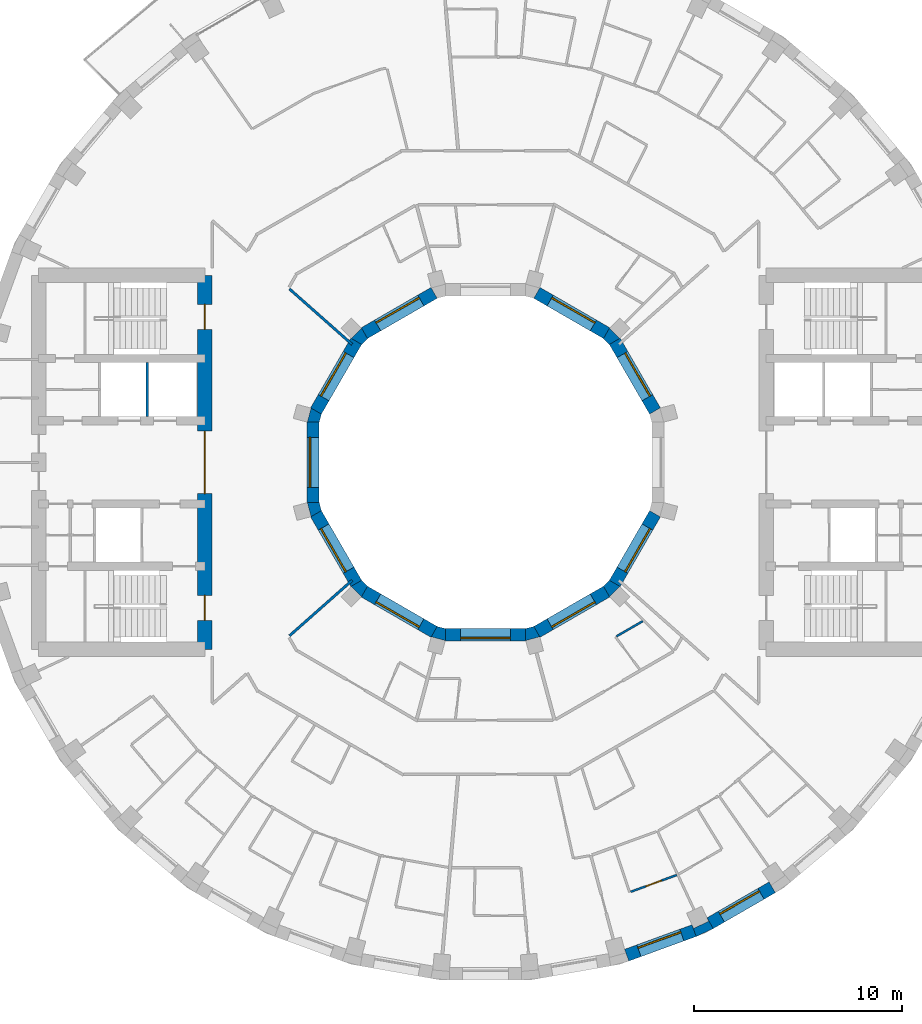
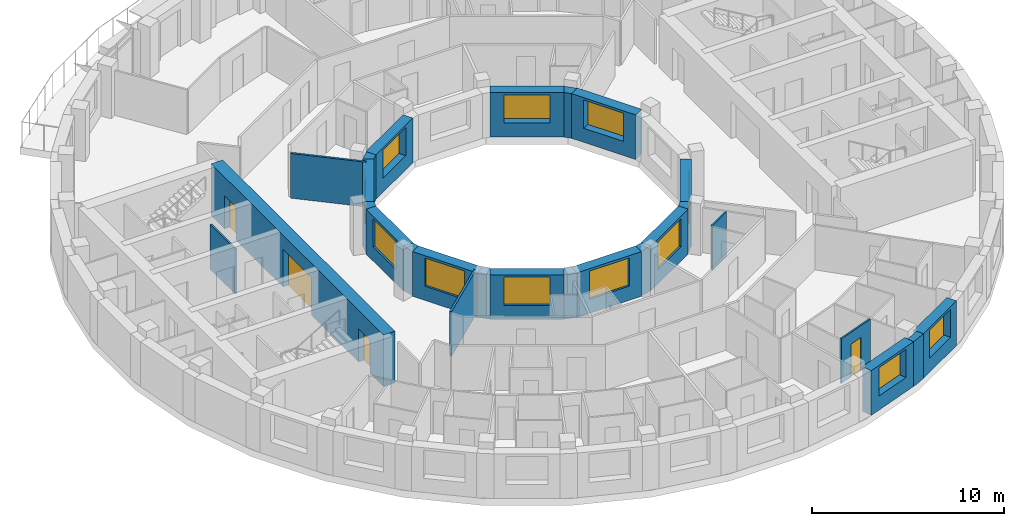
# One storey, part 7 of 14: 27 walls, 12 windows, 4 doors, 16 openings.
"""IFC4 building model written with IfcOpenShell, lengths in metres."""

from ifc_helpers import new_model, si_unit, direction, frame, frame_2d, origin, place, context, subcontext, project, spatial, polyline, rectangle, outline, extrude, material, layer, layer_set, type_object, element, fill, save


model = new_model("IFC4")

# Units and contexts
model_context = context("Model", 3, precision=1e-05, world=origin(), true_north=direction((0.0, 1.0)))
body_context = subcontext(model_context, "Body", "Model", "MODEL_VIEW")
ifc_project = project(units=[si_unit("LENGTHUNIT", "METRE"), si_unit("AREAUNIT", "SQUARE_METRE"), si_unit("VOLUMEUNIT", "CUBIC_METRE"), si_unit("PLANEANGLEUNIT", "RADIAN"), si_unit("MASSUNIT", "GRAM", prefix="KILO")], contexts=[model_context])

# Site, building, storey
site_placement = place(None, origin())
site = spatial("IfcSite", under=ifc_project, at=site_placement, CompositionType="ELEMENT")
building_placement = place(site_placement, origin())
building = spatial("IfcBuilding", under=site, at=building_placement, Name="Saqina Gate Tower", CompositionType="ELEMENT")
storey_placement = place(building_placement, frame((0.0, 0.0, 210.300048828125)))
storey = spatial("IfcBuildingStorey", under=building, at=storey_placement, Name="L60", CompositionType="ELEMENT", Elevation=210.300048828125)

# Wall
ifc_material_1 = material(Name="Brick masonry (buff)", Category="masonry")
wall_type_1 = type_object("IfcWallType", Name="BRICK PIER COPING BUFF", PredefinedType="SOLIDWALL", material=ifc_material_1)
wall_1_placement = place(storey_placement, origin())
element("IfcWall", 1, at=wall_1_placement, inside=storey, type_object=wall_type_1, Name="Pier cap L60 column 30", PredefinedType="SOLIDWALL", context=body_context, shape_type="SweptSolid", body=[
    extrude(outline(polyline([(10.958740234375, -22.4306640625), (10.65869140625, -21.9111328125), (10.73779296875, -22.080810546875), (10.0126953125, -22.4189453125), (9.93359375, -22.249267578125), (10.138916015625, -22.81298828125), (10.958740234375, -22.4306640625)])), origin(), (0.0, 0.0, 1.0), 2.849853515625),
])

# Wall, opening, window
ifc_material_2 = material(Name="Brick masonry (buff)", Category="masonry")
ifc_layer_1 = layer(ifc_material_2, 0.60009765625)
ifc_layer_set_1 = layer_set([ifc_layer_1], Name="FW-BRICK-BUFF")
wall_type_2 = type_object("IfcWallType", Name="FW-BRICK-BUFF", PredefinedType="SOLIDWALL", material=ifc_layer_set_1)
wall_2_placement = place(storey_placement, frame((6.79443359375, -23.7109375, 0.0), z_axis=(0.0, 0.0, 1.0), x_axis=(0.93968799822, 0.342032843455, 0.0)))
wall_2 = element("IfcWall", 2, at=wall_2_placement, inside=storey, type_object=wall_type_2, Name="Facade wall L60 facet 29", PredefinedType="SOLIDWALL", context=body_context, shape_type="SweptSolid", body=[
    extrude(rectangle(XDim=3.44970703125, YDim=0.60009765625, at=frame_2d((1.724853515625, 0.0))), origin(), (0.0, 0.0, 1.0), 2.849853515625),
])
opening_1_placement = place(wall_2_placement, frame((0.625, 0.0, 0.89990234375)))
opening_1 = element("IfcOpeningElement", 3, at=opening_1_placement, cuts=wall_2, Name="Opening G18-W18", PredefinedType="OPENING", context=body_context, shape_type="SweptSolid", body=[
    extrude(rectangle(XDim=2.199951171875, YDim=1.800048828125, at=frame_2d((1.10009765625, 0.89990234375))), frame((0.0, 0.31201171875, 0.0), z_axis=(0.0, -1.0, 0.0), x_axis=(1.0, 0.0, 0.0)), (0.0, 0.0, 1.0), 0.6240234375),
])
ifc_material_3 = material(Name="Aluminium glazing", Category="aluminium")
window_type_1 = type_object("IfcWindowType", Name="WN-C", PartitioningType="SINGLE_PANEL", PredefinedType="WINDOW", material=ifc_material_3)
window_1_placement = place(opening_1_placement, origin())
window_1 = element("IfcWindow", 4, at=window_1_placement, inside=storey, type_object=window_type_1, Name="Window L60 facet 29", OverallHeight=1.800048828125, OverallWidth=2.199951171875, PartitioningType="SINGLE_PANEL", PredefinedType="WINDOW", context=body_context, shape_type="SweptSolid", body=[
    extrude(rectangle(XDim=2.199951171875, YDim=1.800048828125, at=frame_2d((1.10009765625, 0.89990234375))), frame((0.0, 0.179931640625, 0.0), z_axis=(0.0, -1.0, 0.0), x_axis=(1.0, 0.0, 0.0)), (0.0, 0.0, 1.0), 0.06005859375),
])
fill(opening_1, window_1)

wall_3_placement = place(storey_placement, frame((10.80859375, -22.1708984375, 0.0), z_axis=(0.0, 0.0, 1.0), x_axis=(0.86602648383, 0.499998129301, 0.0)))
wall_3 = element("IfcWall", 5, at=wall_3_placement, inside=storey, type_object=wall_type_2, Name="Facade wall L60 facet 30", PredefinedType="SOLIDWALL", context=body_context, shape_type="SweptSolid", body=[
    extrude(rectangle(XDim=3.44970703125, YDim=0.60009765625, at=frame_2d((1.724853515625, 0.0))), origin(), (0.0, 0.0, 1.0), 2.849853515625),
])
opening_2_placement = place(wall_3_placement, frame((0.625, 0.0, 0.89990234375)))
opening_2 = element("IfcOpeningElement", 6, at=opening_2_placement, cuts=wall_3, Name="Opening G18-W19", PredefinedType="OPENING", context=body_context, shape_type="SweptSolid", body=[
    extrude(rectangle(XDim=2.199951171875, YDim=1.800048828125, at=frame_2d((1.10009765625, 0.89990234375))), frame((0.0, 0.31201171875, 0.0), z_axis=(0.0, -1.0, 0.0), x_axis=(1.0, 0.0, 0.0)), (0.0, 0.0, 1.0), 0.6240234375),
])
window_2_placement = place(opening_2_placement, origin())
window_2 = element("IfcWindow", 7, at=window_2_placement, inside=storey, type_object=window_type_1, Name="Window L60 facet 30", OverallHeight=1.800048828125, OverallWidth=2.199951171875, PartitioningType="SINGLE_PANEL", PredefinedType="WINDOW", context=body_context, shape_type="SweptSolid", body=[
    extrude(rectangle(XDim=2.199951171875, YDim=1.800048828125, at=frame_2d((1.10009765625, 0.89990234375))), frame((0.0, 0.179931640625, 0.0), z_axis=(0.0, -1.0, 0.0), x_axis=(1.0, 0.0, 0.0)), (0.0, 0.0, 1.0), 0.06005859375),
])
fill(opening_2, window_2)

ifc_material_4 = material(Name="Glazed ceramic tile", Category="ceramic")
ifc_layer_2 = layer(ifc_material_4, 0.60009765625)
ifc_layer_set_2 = layer_set([ifc_layer_2], Name="IW-TILE")
wall_type_3 = type_object("IfcWallType", Name="IW-TILE", PredefinedType="SOLIDWALL", material=ifc_layer_set_2)
wall_4_placement = place(storey_placement, frame((8.155517578125, 2.474365234375, 0.0), z_axis=(0.0, 0.0, 1.0), x_axis=(-0.500033728941, 0.866005929495, 0.0)))
wall_4 = element("IfcWall", 8, at=wall_4_placement, inside=storey, type_object=wall_type_3, Name="Well wall L60 facet 1", PredefinedType="SOLIDWALL", context=body_context, shape_type="SweptSolid", body=[
    extrude(rectangle(XDim=3.869873046875, YDim=0.60009765625, at=frame_2d((1.93505859375, 0.0))), origin(), (0.0, 0.0, 1.0), 2.849853515625),
])
opening_3_placement = place(wall_4_placement, frame((0.73486328125, 0.0, 0.89990234375)))
opening_3 = element("IfcOpeningElement", 9, at=opening_3_placement, cuts=wall_4, Name="Opening G18-W23", PredefinedType="OPENING", context=body_context, shape_type="SweptSolid", body=[
    extrude(rectangle(XDim=2.39990234375, YDim=1.800048828125, at=frame_2d((1.199951171875, 0.89990234375))), frame((0.0, 0.31201171875, 0.0), z_axis=(0.0, -1.0, 0.0), x_axis=(1.0, 0.0, 0.0)), (0.0, 0.0, 1.0), 0.6240234375),
])
ifc_material_5 = material(Name="Aluminium glazing", Category="aluminium")
window_type_2 = type_object("IfcWindowType", Name="WN-W", PartitioningType="SINGLE_PANEL", PredefinedType="WINDOW", material=ifc_material_5)
window_3_placement = place(opening_3_placement, origin())
window_3 = element("IfcWindow", 10, at=window_3_placement, inside=storey, type_object=window_type_2, Name="Well window L60 facet 1", OverallHeight=1.800048828125, OverallWidth=2.39990234375, PartitioningType="SINGLE_PANEL", PredefinedType="WINDOW", context=body_context, shape_type="SweptSolid", body=[
    extrude(rectangle(XDim=2.39990234375, YDim=1.800048828125, at=frame_2d((1.199951171875, 0.89990234375))), frame((0.0, -0.119873046875, 0.0), z_axis=(0.0, -1.0, 0.0), x_axis=(1.0, 0.0, 0.0)), (0.0, 0.0, 1.0), 0.06005859375),
])
fill(opening_3, window_3)

wall_5_placement = place(storey_placement, frame((5.82568359375, 6.220458984375, 0.0), z_axis=(0.0, 0.0, 1.0), x_axis=(-0.866005929495, 0.500033728941, 0.0)))
wall_5 = element("IfcWall", 11, at=wall_5_placement, inside=storey, type_object=wall_type_3, Name="Well wall L60 facet 2", PredefinedType="SOLIDWALL", context=body_context, shape_type="SweptSolid", body=[
    extrude(rectangle(XDim=3.869873046875, YDim=0.60009765625, at=frame_2d((1.93505859375, 0.0))), origin(), (0.0, 0.0, 1.0), 2.849853515625),
])
opening_4_placement = place(wall_5_placement, frame((0.73486328125, 0.0, 0.89990234375)))
opening_4 = element("IfcOpeningElement", 12, at=opening_4_placement, cuts=wall_5, Name="Opening G18-W24", PredefinedType="OPENING", context=body_context, shape_type="SweptSolid", body=[
    extrude(rectangle(XDim=2.39990234375, YDim=1.800048828125, at=frame_2d((1.199951171875, 0.89990234375))), frame((0.0, 0.31201171875, 0.0), z_axis=(0.0, -1.0, 0.0), x_axis=(1.0, 0.0, 0.0)), (0.0, 0.0, 1.0), 0.6240234375),
])
window_4_placement = place(opening_4_placement, origin())
window_4 = element("IfcWindow", 13, at=window_4_placement, inside=storey, type_object=window_type_2, Name="Well window L60 facet 2", OverallHeight=1.800048828125, OverallWidth=2.39990234375, PartitioningType="SINGLE_PANEL", PredefinedType="WINDOW", context=body_context, shape_type="SweptSolid", body=[
    extrude(rectangle(XDim=2.39990234375, YDim=1.800048828125, at=frame_2d((1.199951171875, 0.89990234375))), frame((0.0, -0.119873046875, 0.0), z_axis=(0.0, -1.0, 0.0), x_axis=(1.0, 0.0, 0.0)), (0.0, 0.0, 1.0), 0.06005859375),
])
fill(opening_4, window_4)

wall_6_placement = place(storey_placement, frame((-2.474365234375, 8.155517578125, 0.0), z_axis=(0.0, 0.0, 1.0), x_axis=(-0.866005929495, -0.500033728941, 0.0)))
wall_6 = element("IfcWall", 14, at=wall_6_placement, inside=storey, type_object=wall_type_3, Name="Well wall L60 facet 4", PredefinedType="SOLIDWALL", context=body_context, shape_type="SweptSolid", body=[
    extrude(rectangle(XDim=3.869873046875, YDim=0.60009765625, at=frame_2d((1.93505859375, 0.0))), origin(), (0.0, 0.0, 1.0), 2.849853515625),
])
opening_5_placement = place(wall_6_placement, frame((0.73486328125, 0.0, 0.89990234375)))
opening_5 = element("IfcOpeningElement", 15, at=opening_5_placement, cuts=wall_6, Name="Opening G18-W26", PredefinedType="OPENING", context=body_context, shape_type="SweptSolid", body=[
    extrude(rectangle(XDim=2.39990234375, YDim=1.800048828125, at=frame_2d((1.199951171875, 0.89990234375))), frame((0.0, 0.31201171875, 0.0), z_axis=(0.0, -1.0, 0.0), x_axis=(1.0, 0.0, 0.0)), (0.0, 0.0, 1.0), 0.6240234375),
])
window_5_placement = place(opening_5_placement, origin())
window_5 = element("IfcWindow", 16, at=window_5_placement, inside=storey, type_object=window_type_2, Name="Well window L60 facet 4", OverallHeight=1.800048828125, OverallWidth=2.39990234375, PartitioningType="SINGLE_PANEL", PredefinedType="WINDOW", context=body_context, shape_type="SweptSolid", body=[
    extrude(rectangle(XDim=2.39990234375, YDim=1.800048828125, at=frame_2d((1.199951171875, 0.89990234375))), frame((0.0, -0.119873046875, 0.0), z_axis=(0.0, -1.0, 0.0), x_axis=(1.0, 0.0, 0.0)), (0.0, 0.0, 1.0), 0.06005859375),
])
fill(opening_5, window_5)

wall_7_placement = place(storey_placement, frame((-6.220458984375, 5.82568359375, 0.0), z_axis=(0.0, 0.0, 1.0), x_axis=(-0.500033728941, -0.866005929495, 0.0)))
wall_7 = element("IfcWall", 17, at=wall_7_placement, inside=storey, type_object=wall_type_3, Name="Well wall L60 facet 5", PredefinedType="SOLIDWALL", context=body_context, shape_type="SweptSolid", body=[
    extrude(rectangle(XDim=3.869873046875, YDim=0.60009765625, at=frame_2d((1.93505859375, 0.0))), origin(), (0.0, 0.0, 1.0), 2.849853515625),
])
opening_6_placement = place(wall_7_placement, frame((0.73486328125, 0.0, 0.89990234375)))
opening_6 = element("IfcOpeningElement", 18, at=opening_6_placement, cuts=wall_7, Name="Opening G18-W27", PredefinedType="OPENING", context=body_context, shape_type="SweptSolid", body=[
    extrude(rectangle(XDim=2.39990234375, YDim=1.800048828125, at=frame_2d((1.199951171875, 0.89990234375))), frame((0.0, 0.31201171875, 0.0), z_axis=(0.0, -1.0, 0.0), x_axis=(1.0, 0.0, 0.0)), (0.0, 0.0, 1.0), 0.6240234375),
])
window_6_placement = place(opening_6_placement, origin())
window_6 = element("IfcWindow", 19, at=window_6_placement, inside=storey, type_object=window_type_2, Name="Well window L60 facet 5", OverallHeight=1.800048828125, OverallWidth=2.39990234375, PartitioningType="SINGLE_PANEL", PredefinedType="WINDOW", context=body_context, shape_type="SweptSolid", body=[
    extrude(rectangle(XDim=2.39990234375, YDim=1.800048828125, at=frame_2d((1.199951171875, 0.89990234375))), frame((0.0, -0.119873046875, 0.0), z_axis=(0.0, -1.0, 0.0), x_axis=(1.0, 0.0, 0.0)), (0.0, 0.0, 1.0), 0.06005859375),
])
fill(opening_6, window_6)

wall_8_placement = place(storey_placement, frame((-8.300048828125, 1.934814453125, 0.0), z_axis=(0.0, 0.0, 1.0), x_axis=(0.0, -1.0, 0.0)))
wall_8 = element("IfcWall", 20, at=wall_8_placement, inside=storey, type_object=wall_type_3, Name="Well wall L60 facet 6", PredefinedType="SOLIDWALL", context=body_context, shape_type="SweptSolid", body=[
    extrude(rectangle(XDim=3.86962890625, YDim=0.60009765625, at=frame_2d((1.934814453125, 0.0))), origin(), (0.0, 0.0, 1.0), 2.849853515625),
])
opening_7_placement = place(wall_8_placement, frame((0.73486328125, 0.0, 0.89990234375)))
opening_7 = element("IfcOpeningElement", 21, at=opening_7_placement, cuts=wall_8, Name="Opening G18-W28", PredefinedType="OPENING", context=body_context, shape_type="SweptSolid", body=[
    extrude(rectangle(XDim=2.39990234375, YDim=1.800048828125, at=frame_2d((1.199951171875, 0.89990234375))), frame((0.0, 0.31201171875, 0.0), z_axis=(0.0, -1.0, 0.0), x_axis=(1.0, 0.0, 0.0)), (0.0, 0.0, 1.0), 0.6240234375),
])
window_7_placement = place(opening_7_placement, origin())
window_7 = element("IfcWindow", 22, at=window_7_placement, inside=storey, type_object=window_type_2, Name="Well window L60 facet 6", OverallHeight=1.800048828125, OverallWidth=2.39990234375, PartitioningType="SINGLE_PANEL", PredefinedType="WINDOW", context=body_context, shape_type="SweptSolid", body=[
    extrude(rectangle(XDim=2.39990234375, YDim=1.800048828125, at=frame_2d((1.199951171875, 0.89990234375))), frame((0.0, -0.119873046875, 0.0), z_axis=(0.0, -1.0, 0.0), x_axis=(1.0, 0.0, 0.0)), (0.0, 0.0, 1.0), 0.06005859375),
])
fill(opening_7, window_7)

wall_9_placement = place(storey_placement, frame((-8.155517578125, -2.474365234375, 0.0), z_axis=(0.0, 0.0, 1.0), x_axis=(0.500033728941, -0.866005929495, 0.0)))
wall_9 = element("IfcWall", 23, at=wall_9_placement, inside=storey, type_object=wall_type_3, Name="Well wall L60 facet 7", PredefinedType="SOLIDWALL", context=body_context, shape_type="SweptSolid", body=[
    extrude(rectangle(XDim=3.869873046875, YDim=0.60009765625, at=frame_2d((1.93505859375, 0.0))), origin(), (0.0, 0.0, 1.0), 2.849853515625),
])
opening_8_placement = place(wall_9_placement, frame((0.73486328125, 0.0, 0.89990234375)))
opening_8 = element("IfcOpeningElement", 24, at=opening_8_placement, cuts=wall_9, Name="Opening G18-W29", PredefinedType="OPENING", context=body_context, shape_type="SweptSolid", body=[
    extrude(rectangle(XDim=2.39990234375, YDim=1.800048828125, at=frame_2d((1.199951171875, 0.89990234375))), frame((0.0, 0.31201171875, 0.0), z_axis=(0.0, -1.0, 0.0), x_axis=(1.0, 0.0, 0.0)), (0.0, 0.0, 1.0), 0.6240234375),
])
window_8_placement = place(opening_8_placement, origin())
window_8 = element("IfcWindow", 25, at=window_8_placement, inside=storey, type_object=window_type_2, Name="Well window L60 facet 7", OverallHeight=1.800048828125, OverallWidth=2.39990234375, PartitioningType="SINGLE_PANEL", PredefinedType="WINDOW", context=body_context, shape_type="SweptSolid", body=[
    extrude(rectangle(XDim=2.39990234375, YDim=1.800048828125, at=frame_2d((1.199951171875, 0.89990234375))), frame((0.0, -0.119873046875, 0.0), z_axis=(0.0, -1.0, 0.0), x_axis=(1.0, 0.0, 0.0)), (0.0, 0.0, 1.0), 0.06005859375),
])
fill(opening_8, window_8)

wall_10_placement = place(storey_placement, frame((-5.82568359375, -6.220458984375, 0.0), z_axis=(0.0, 0.0, 1.0), x_axis=(0.866005929495, -0.500033728941, 0.0)))
wall_10 = element("IfcWall", 26, at=wall_10_placement, inside=storey, type_object=wall_type_3, Name="Well wall L60 facet 8", PredefinedType="SOLIDWALL", context=body_context, shape_type="SweptSolid", body=[
    extrude(rectangle(XDim=3.869873046875, YDim=0.60009765625, at=frame_2d((1.93505859375, 0.0))), origin(), (0.0, 0.0, 1.0), 2.849853515625),
])
opening_9_placement = place(wall_10_placement, frame((0.73486328125, 0.0, 0.89990234375)))
opening_9 = element("IfcOpeningElement", 27, at=opening_9_placement, cuts=wall_10, Name="Opening G18-W30", PredefinedType="OPENING", context=body_context, shape_type="SweptSolid", body=[
    extrude(rectangle(XDim=2.39990234375, YDim=1.800048828125, at=frame_2d((1.199951171875, 0.89990234375))), frame((0.0, 0.31201171875, 0.0), z_axis=(0.0, -1.0, 0.0), x_axis=(1.0, 0.0, 0.0)), (0.0, 0.0, 1.0), 0.6240234375),
])
window_9_placement = place(opening_9_placement, origin())
window_9 = element("IfcWindow", 28, at=window_9_placement, inside=storey, type_object=window_type_2, Name="Well window L60 facet 8", OverallHeight=1.800048828125, OverallWidth=2.39990234375, PartitioningType="SINGLE_PANEL", PredefinedType="WINDOW", context=body_context, shape_type="SweptSolid", body=[
    extrude(rectangle(XDim=2.39990234375, YDim=1.800048828125, at=frame_2d((1.199951171875, 0.89990234375))), frame((0.0, -0.119873046875, 0.0), z_axis=(0.0, -1.0, 0.0), x_axis=(1.0, 0.0, 0.0)), (0.0, 0.0, 1.0), 0.06005859375),
])
fill(opening_9, window_9)

wall_11_placement = place(storey_placement, frame((-1.934814453125, -8.300048828125, 0.0), z_axis=(0.0, 0.0, 1.0), x_axis=(1.0, 0.0, 0.0)))
wall_11 = element("IfcWall", 29, at=wall_11_placement, inside=storey, type_object=wall_type_3, Name="Well wall L60 facet 9", PredefinedType="SOLIDWALL", context=body_context, shape_type="SweptSolid", body=[
    extrude(rectangle(XDim=3.86962890625, YDim=0.60009765625, at=frame_2d((1.934814453125, 0.0))), origin(), (0.0, 0.0, 1.0), 2.849853515625),
])
opening_10_placement = place(wall_11_placement, frame((0.73486328125, 0.0, 0.89990234375)))
opening_10 = element("IfcOpeningElement", 30, at=opening_10_placement, cuts=wall_11, Name="Opening G18-W31", PredefinedType="OPENING", context=body_context, shape_type="SweptSolid", body=[
    extrude(rectangle(XDim=2.39990234375, YDim=1.800048828125, at=frame_2d((1.199951171875, 0.89990234375))), frame((0.0, 0.31201171875, 0.0), z_axis=(0.0, -1.0, 0.0), x_axis=(1.0, 0.0, 0.0)), (0.0, 0.0, 1.0), 0.6240234375),
])
window_10_placement = place(opening_10_placement, origin())
window_10 = element("IfcWindow", 31, at=window_10_placement, inside=storey, type_object=window_type_2, Name="Well window L60 facet 9", OverallHeight=1.800048828125, OverallWidth=2.39990234375, PartitioningType="SINGLE_PANEL", PredefinedType="WINDOW", context=body_context, shape_type="SweptSolid", body=[
    extrude(rectangle(XDim=2.39990234375, YDim=1.800048828125, at=frame_2d((1.199951171875, 0.89990234375))), frame((0.0, -0.119873046875, 0.0), z_axis=(0.0, -1.0, 0.0), x_axis=(1.0, 0.0, 0.0)), (0.0, 0.0, 1.0), 0.06005859375),
])
fill(opening_10, window_10)

wall_12_placement = place(storey_placement, frame((2.474365234375, -8.155517578125, 0.0), z_axis=(0.0, 0.0, 1.0), x_axis=(0.866005929495, 0.500033728941, 0.0)))
wall_12 = element("IfcWall", 32, at=wall_12_placement, inside=storey, type_object=wall_type_3, Name="Well wall L60 facet 10", PredefinedType="SOLIDWALL", context=body_context, shape_type="SweptSolid", body=[
    extrude(rectangle(XDim=3.869873046875, YDim=0.60009765625, at=frame_2d((1.93505859375, 0.0))), origin(), (0.0, 0.0, 1.0), 2.849853515625),
])
opening_11_placement = place(wall_12_placement, frame((0.73486328125, 0.0, 0.89990234375)))
opening_11 = element("IfcOpeningElement", 33, at=opening_11_placement, cuts=wall_12, Name="Opening G18-W32", PredefinedType="OPENING", context=body_context, shape_type="SweptSolid", body=[
    extrude(rectangle(XDim=2.39990234375, YDim=1.800048828125, at=frame_2d((1.199951171875, 0.89990234375))), frame((0.0, 0.31201171875, 0.0), z_axis=(0.0, -1.0, 0.0), x_axis=(1.0, 0.0, 0.0)), (0.0, 0.0, 1.0), 0.6240234375),
])
window_11_placement = place(opening_11_placement, origin())
window_11 = element("IfcWindow", 34, at=window_11_placement, inside=storey, type_object=window_type_2, Name="Well window L60 facet 10", OverallHeight=1.800048828125, OverallWidth=2.39990234375, PartitioningType="SINGLE_PANEL", PredefinedType="WINDOW", context=body_context, shape_type="SweptSolid", body=[
    extrude(rectangle(XDim=2.39990234375, YDim=1.800048828125, at=frame_2d((1.199951171875, 0.89990234375))), frame((0.0, -0.119873046875, 0.0), z_axis=(0.0, -1.0, 0.0), x_axis=(1.0, 0.0, 0.0)), (0.0, 0.0, 1.0), 0.06005859375),
])
fill(opening_11, window_11)

wall_13_placement = place(storey_placement, frame((6.220458984375, -5.82568359375, 0.0), z_axis=(0.0, 0.0, 1.0), x_axis=(0.500033728941, 0.866005929495, 0.0)))
wall_13 = element("IfcWall", 35, at=wall_13_placement, inside=storey, type_object=wall_type_3, Name="Well wall L60 facet 11", PredefinedType="SOLIDWALL", context=body_context, shape_type="SweptSolid", body=[
    extrude(rectangle(XDim=3.869873046875, YDim=0.60009765625, at=frame_2d((1.93505859375, 0.0))), origin(), (0.0, 0.0, 1.0), 2.849853515625),
])
opening_12_placement = place(wall_13_placement, frame((0.73486328125, 0.0, 0.89990234375)))
opening_12 = element("IfcOpeningElement", 36, at=opening_12_placement, cuts=wall_13, Name="Opening G18-W33", PredefinedType="OPENING", context=body_context, shape_type="SweptSolid", body=[
    extrude(rectangle(XDim=2.39990234375, YDim=1.800048828125, at=frame_2d((1.199951171875, 0.89990234375))), frame((0.0, 0.31201171875, 0.0), z_axis=(0.0, -1.0, 0.0), x_axis=(1.0, 0.0, 0.0)), (0.0, 0.0, 1.0), 0.6240234375),
])
window_12_placement = place(opening_12_placement, origin())
window_12 = element("IfcWindow", 37, at=window_12_placement, inside=storey, type_object=window_type_2, Name="Well window L60 facet 11", OverallHeight=1.800048828125, OverallWidth=2.39990234375, PartitioningType="SINGLE_PANEL", PredefinedType="WINDOW", context=body_context, shape_type="SweptSolid", body=[
    extrude(rectangle(XDim=2.39990234375, YDim=1.800048828125, at=frame_2d((1.199951171875, 0.89990234375))), frame((0.0, -0.119873046875, 0.0), z_axis=(0.0, -1.0, 0.0), x_axis=(1.0, 0.0, 0.0)), (0.0, 0.0, 1.0), 0.06005859375),
])
fill(opening_12, window_12)

# Wall, opening, door
ifc_material_6 = material(Name="Gypsum board on steel studs, 100 mm", Category="steel")
ifc_layer_3 = layer(ifc_material_6, 0.10009765625)
ifc_layer_set_3 = layer_set([ifc_layer_3], Name="PARTITION 100")
wall_type_4 = type_object("IfcWallType", Name="PARTITION 100", PredefinedType="PARTITIONING", material=ifc_layer_set_3)
wall_14_placement = place(storey_placement, frame((6.98193359375, -20.662841796875, 0.0), z_axis=(0.0, 0.0, 1.0), x_axis=(0.939639539443, 0.34216594792, 0.0)))
wall_14 = element("IfcWall", 38, at=wall_14_placement, inside=storey, type_object=wall_type_4, Name="PARTITION PW3-50", PredefinedType="PARTITIONING", context=body_context, shape_type="SweptSolid", body=[
    extrude(rectangle(XDim=2.36376953125, YDim=0.10009765625, at=frame_2d((1.181884765625, 0.0))), origin(), (0.0, 0.0, 1.0), 2.849853515625),
])
opening_13_placement = place(wall_14_placement, frame((0.781982421875, 0.0, 0.0)))
opening_13 = element("IfcOpeningElement", 39, at=opening_13_placement, cuts=wall_14, Name="Opening G18-D49", PredefinedType="OPENING", context=body_context, shape_type="SweptSolid", body=[
    extrude(rectangle(XDim=0.800048828125, YDim=2.10009765625, at=frame_2d((0.39990234375, 1.050048828125))), frame((0.0, 0.06201171875, 0.0), z_axis=(0.0, -1.0, 0.0), x_axis=(1.0, 0.0, 0.0)), (0.0, 0.0, 1.0), 0.1240234375),
])
ifc_material_7 = material(Name="Timber door leaf, 800 mm", Category="wood")
door_type_1 = type_object("IfcDoorType", Name="DOOR 800 TIMBER", OperationType="SINGLE_SWING_LEFT", PredefinedType="DOOR", material=ifc_material_7)
door_1_placement = place(opening_13_placement, frame((0.800048828125, 0.0, 0.0), z_axis=(0.0, 0.0, 1.0), x_axis=(-1.0, 0.0, 0.0)))
door_1 = element("IfcDoor", 40, at=door_1_placement, inside=storey, type_object=door_type_1, Name="DOOR G18-D49", OperationType="SINGLE_SWING_LEFT", OverallHeight=2.10009765625, OverallWidth=0.800048828125, PredefinedType="DOOR", context=body_context, shape_type="SweptSolid", body=[
    extrude(rectangle(XDim=0.800048828125, YDim=2.10009765625, at=frame_2d((0.39990234375, 1.050048828125))), frame((0.0, 0.02490234375, 0.0), z_axis=(0.0, -1.0, 0.0), x_axis=(1.0, 0.0, 0.0)), (0.0, 0.0, 1.0), 0.050048828125),
])
fill(opening_13, door_1)

# Walls
wall_15_placement = place(storey_placement, frame((6.29833984375, -8.3720703125, 0.0), z_axis=(0.0, 0.0, 1.0), x_axis=(0.865972313888, 0.500091943127, 0.0)))
element("IfcWall", 41, at=wall_15_placement, inside=storey, type_object=wall_type_4, Name="PARTITION PW3-58", PredefinedType="PARTITIONING", context=body_context, shape_type="SweptSolid", body=[
    extrude(rectangle(XDim=1.468017578125, YDim=0.10009765625, at=frame_2d((0.73388671875, 0.0))), origin(), (0.0, 0.0, 1.0), 2.849853515625),
])
ifc_material_8 = material(Name="Gypsum board on steel studs, 125 mm, fire rated", Category="steel")
ifc_layer_4 = layer(ifc_material_8, 0.125)
ifc_layer_set_4 = layer_set([ifc_layer_4], Name="PARTITION EI 30 125")
wall_type_5 = type_object("IfcWallType", Name="PARTITION EI 30 125", PredefinedType="PARTITIONING", material=ifc_layer_set_4)
for number, where, z_axis, x_axis, name in (
    (42, (-9.43212890625, 8.3447265625, 0.0), (0.0, 0.0, 1.0), (0.748978023249, -0.662594839015, 0.0), "PARTITION PW1-12"),
    (43, (-9.43212890625, -8.3447265625, 0.0), (0.0, 0.0, 1.0), (0.748978023249, 0.662594839015, 0.0), "PARTITION PW1-43"),
):
    element("IfcWall", number, at=place(storey_placement, frame(where, z_axis=z_axis, x_axis=x_axis)), inside=storey, type_object=wall_type_5, Name=name, PredefinedType="PARTITIONING", context=body_context, shape_type="SweptSolid", body=[
        extrude(rectangle(XDim=4.021728515625, YDim=0.125, at=frame_2d((2.0107421875, 0.0))), origin(), (0.0, 0.0, 1.0), 2.849853515625),
    ])
ifc_material_9 = material(Name="Autoclaved aerated concrete block", Category="concrete")
ifc_layer_5 = layer(ifc_material_9, 0.1201171875)
ifc_layer_set_5 = layer_set([ifc_layer_5], Name="SHAFT PARTITION")
wall_type_6 = type_object("IfcWallType", Name="SHAFT PARTITION", PredefinedType="PARTITIONING", material=ifc_layer_set_5)
wall_16_placement = place(storey_placement, frame((-16.280029296875, 2.199951171875, 0.0), z_axis=(0.0, 0.0, 1.0), x_axis=(0.0, 1.0, 0.0)))
element("IfcWall", 44, at=wall_16_placement, inside=storey, type_object=wall_type_6, Name="L60-CP-W06", PredefinedType="PARTITIONING", context=body_context, shape_type="SweptSolid", body=[
    extrude(rectangle(XDim=2.60009765625, YDim=0.1201171875, at=frame_2d((1.300048828125, 0.0))), origin(), (0.0, 0.0, 1.0), 2.849853515625),
])

# Wall, openings, doors
ifc_material_10 = material(Name="Concrete C60/75", Category="concrete")
ifc_layer_6 = layer(ifc_material_10, 0.699951171875)
ifc_layer_set_6 = layer_set([ifc_layer_6], Name="Concrete C60/75")
wall_type_7 = type_object("IfcWallType", Name="STR-CORE WALL-C-O", PredefinedType="SHEAR", material=ifc_layer_set_6)
wall_17_placement = place(storey_placement, frame((-13.5, -9.0, 0.0), z_axis=(0.0, 0.0, 1.0), x_axis=(0.0, 1.0, 0.0)))
wall_17 = element("IfcWall", 45, at=wall_17_placement, inside=storey, type_object=wall_type_7, Name="CORE WALL L60 W-W1", PredefinedType="SHEAR", context=body_context, shape_type="SweptSolid", body=[
    extrude(rectangle(XDim=18.0, YDim=0.699951171875, at=frame_2d((9.0, 0.0))), origin(), (0.0, 0.0, 1.0), 3.300048828125),
])
opening_14_placement = place(wall_17_placement, frame((15.39990234375, 0.0, 0.0)))
opening_14 = element("IfcOpeningElement", 46, at=opening_14_placement, cuts=wall_17, Name="Opening G18-D121", PredefinedType="OPENING", context=body_context, shape_type="SweptSolid", body=[
    extrude(rectangle(XDim=1.199951171875, YDim=2.10009765625, at=frame_2d((0.60009765625, 1.050048828125))), frame((0.0, 0.362060546875, 0.0), z_axis=(0.0, -1.0, 0.0), x_axis=(1.0, 0.0, 0.0)), (0.0, 0.0, 1.0), 0.723876953125),
])
opening_15_placement = place(wall_17_placement, frame((1.39990234375, 0.0, 0.0)))
opening_15 = element("IfcOpeningElement", 47, at=opening_15_placement, cuts=wall_17, Name="Opening G18-D122", PredefinedType="OPENING", context=body_context, shape_type="SweptSolid", body=[
    extrude(rectangle(XDim=1.199951171875, YDim=2.10009765625, at=frame_2d((0.60009765625, 1.050048828125))), frame((0.0, 0.362060546875, 0.0), z_axis=(0.0, -1.0, 0.0), x_axis=(1.0, 0.0, 0.0)), (0.0, 0.0, 1.0), 0.723876953125),
])
opening_16_placement = place(wall_17_placement, frame((7.5, 0.0, 0.0)))
opening_16 = element("IfcOpeningElement", 48, at=opening_16_placement, cuts=wall_17, Name="Opening G18-D123", PredefinedType="OPENING", context=body_context, shape_type="SweptSolid", body=[
    extrude(rectangle(XDim=3.0, YDim=2.39990234375, at=frame_2d((1.5, 1.199951171875))), frame((0.0, 0.362060546875, 0.0), z_axis=(0.0, -1.0, 0.0), x_axis=(1.0, 0.0, 0.0)), (0.0, 0.0, 1.0), 0.723876953125),
])
ifc_material_11 = material(Name="Steel", Category="steel")
door_type_2 = type_object("IfcDoorType", Name="FIRE DOOR EI 60", OperationType="SINGLE_SWING_LEFT", PredefinedType="DOOR", material=ifc_material_11)
door_2_placement = place(opening_14_placement, origin())
door_2 = element("IfcDoor", 49, at=door_2_placement, inside=storey, type_object=door_type_2, Name="L60-CD-W32", OperationType="SINGLE_SWING_RIGHT", OverallHeight=2.10009765625, OverallWidth=1.199951171875, PredefinedType="DOOR", context=body_context, shape_type="SweptSolid", body=[
    extrude(rectangle(XDim=1.199951171875, YDim=2.10009765625, at=frame_2d((0.60009765625, 1.050048828125))), frame((0.0, 0.02490234375, 0.0), z_axis=(0.0, -1.0, 0.0), x_axis=(1.0, 0.0, 0.0)), (0.0, 0.0, 1.0), 0.050048828125),
])
fill(opening_14, door_2)
door_3_placement = place(opening_15_placement, origin())
door_3 = element("IfcDoor", 50, at=door_3_placement, inside=storey, type_object=door_type_2, Name="L60-CD-W33", OperationType="SINGLE_SWING_LEFT", OverallHeight=2.10009765625, OverallWidth=1.199951171875, PredefinedType="DOOR", context=body_context, shape_type="SweptSolid", body=[
    extrude(rectangle(XDim=1.199951171875, YDim=2.10009765625, at=frame_2d((0.60009765625, 1.050048828125))), frame((0.0, 0.02490234375, 0.0), z_axis=(0.0, -1.0, 0.0), x_axis=(1.0, 0.0, 0.0)), (0.0, 0.0, 1.0), 0.050048828125),
])
fill(opening_15, door_3)
ifc_material_12 = material(Name="Steel and fire-resisting glass", Category="steel")
door_type_3 = type_object("IfcDoorType", Name="LOBBY SCREEN DOOR", OperationType="DOUBLE_DOOR_SLIDING", PredefinedType="DOOR", material=ifc_material_12)
door_4_placement = place(opening_16_placement, origin())
door_4 = element("IfcDoor", 51, at=door_4_placement, inside=storey, type_object=door_type_3, Name="L60-CD-W34", OperationType="DOUBLE_DOOR_SLIDING", OverallHeight=2.39990234375, OverallWidth=3.0, PredefinedType="DOOR", context=body_context, shape_type="SweptSolid", body=[
    extrude(rectangle(XDim=3.0, YDim=2.39990234375, at=frame_2d((1.5, 1.199951171875))), frame((0.0, 0.02490234375, 0.0), z_axis=(0.0, -1.0, 0.0), x_axis=(1.0, 0.0, 0.0)), (0.0, 0.0, 1.0), 0.050048828125),
])
fill(opening_16, door_4)

# Walls
ifc_material_13 = material(Name="Glazed ceramic tile", Category="ceramic")
wall_type_8 = type_object("IfcWallType", Name="TILE PIER COPING", PredefinedType="SOLIDWALL", material=ifc_material_13)
wall_18_placement = place(storey_placement, origin())
element("IfcWall", 52, at=wall_18_placement, inside=storey, type_object=wall_type_8, Name="Well pier cap L60 column 2", PredefinedType="SOLIDWALL", context=body_context, shape_type="SweptSolid", body=[
    extrude(outline(polyline([(5.96240234375, 6.45751953125), (5.67578125, 5.960693359375), (5.960693359375, 5.67578125), (6.45751953125, 5.96240234375), (5.96240234375, 6.45751953125)])), origin(), (0.0, 0.0, 1.0), 2.849853515625),
])
wall_19_placement = place(storey_placement, origin())
element("IfcWall", 53, at=wall_19_placement, inside=storey, type_object=wall_type_8, Name="Well pier cap L60 column 5", PredefinedType="SOLIDWALL", context=body_context, shape_type="SweptSolid", body=[
    extrude(outline(polyline([(-6.45751953125, 5.96240234375), (-5.960693359375, 5.67578125), (-5.67578125, 5.960693359375), (-5.96240234375, 6.45751953125), (-6.45751953125, 5.96240234375)])), origin(), (0.0, 0.0, 1.0), 2.849853515625),
])
wall_20_placement = place(storey_placement, origin())
element("IfcWall", 54, at=wall_20_placement, inside=storey, type_object=wall_type_8, Name="Well pier cap L60 column 6", PredefinedType="SOLIDWALL", context=body_context, shape_type="SweptSolid", body=[
    extrude(outline(polyline([(-8.573486328125, 1.934814453125), (-8.0, 1.934814453125), (-7.895751953125, 2.32421875), (-8.392333984375, 2.611083984375), (-8.573486328125, 1.934814453125)])), origin(), (0.0, 0.0, 1.0), 2.849853515625),
])
wall_21_placement = place(storey_placement, origin())
element("IfcWall", 55, at=wall_21_placement, inside=storey, type_object=wall_type_8, Name="Well pier cap L60 column 7", PredefinedType="SOLIDWALL", context=body_context, shape_type="SweptSolid", body=[
    extrude(outline(polyline([(-8.0, -1.934814453125), (-8.573486328125, -1.934814453125), (-8.392333984375, -2.611083984375), (-7.895751953125, -2.32421875), (-8.0, -1.934814453125)])), origin(), (0.0, 0.0, 1.0), 2.849853515625),
])
wall_22_placement = place(storey_placement, origin())
element("IfcWall", 56, at=wall_22_placement, inside=storey, type_object=wall_type_8, Name="Well pier cap L60 column 8", PredefinedType="SOLIDWALL", context=body_context, shape_type="SweptSolid", body=[
    extrude(outline(polyline([(-6.45751953125, -5.96240234375), (-5.96240234375, -6.45751953125), (-5.67578125, -5.960693359375), (-5.960693359375, -5.67578125), (-6.45751953125, -5.96240234375)])), origin(), (0.0, 0.0, 1.0), 2.849853515625),
])
wall_23_placement = place(storey_placement, origin())
element("IfcWall", 57, at=wall_23_placement, inside=storey, type_object=wall_type_8, Name="Well pier cap L60 column 9", PredefinedType="SOLIDWALL", context=body_context, shape_type="SweptSolid", body=[
    extrude(outline(polyline([(-1.934814453125, -8.573486328125), (-1.934814453125, -8.0), (-2.32421875, -7.895751953125), (-2.611083984375, -8.392333984375), (-1.934814453125, -8.573486328125)])), origin(), (0.0, 0.0, 1.0), 2.849853515625),
])
wall_24_placement = place(storey_placement, origin())
element("IfcWall", 58, at=wall_24_placement, inside=storey, type_object=wall_type_8, Name="Well pier cap L60 column 10", PredefinedType="SOLIDWALL", context=body_context, shape_type="SweptSolid", body=[
    extrude(outline(polyline([(2.611083984375, -8.392333984375), (2.32421875, -7.895751953125), (1.934814453125, -8.0), (1.934814453125, -8.573486328125), (2.611083984375, -8.392333984375)])), origin(), (0.0, 0.0, 1.0), 2.849853515625),
])
wall_25_placement = place(storey_placement, origin())
element("IfcWall", 59, at=wall_25_placement, inside=storey, type_object=wall_type_8, Name="Well pier cap L60 column 11", PredefinedType="SOLIDWALL", context=body_context, shape_type="SweptSolid", body=[
    extrude(outline(polyline([(5.96240234375, -6.45751953125), (6.45751953125, -5.96240234375), (5.960693359375, -5.67578125), (5.67578125, -5.960693359375), (5.96240234375, -6.45751953125)])), origin(), (0.0, 0.0, 1.0), 2.849853515625),
])

save(model, "model.ifc")
